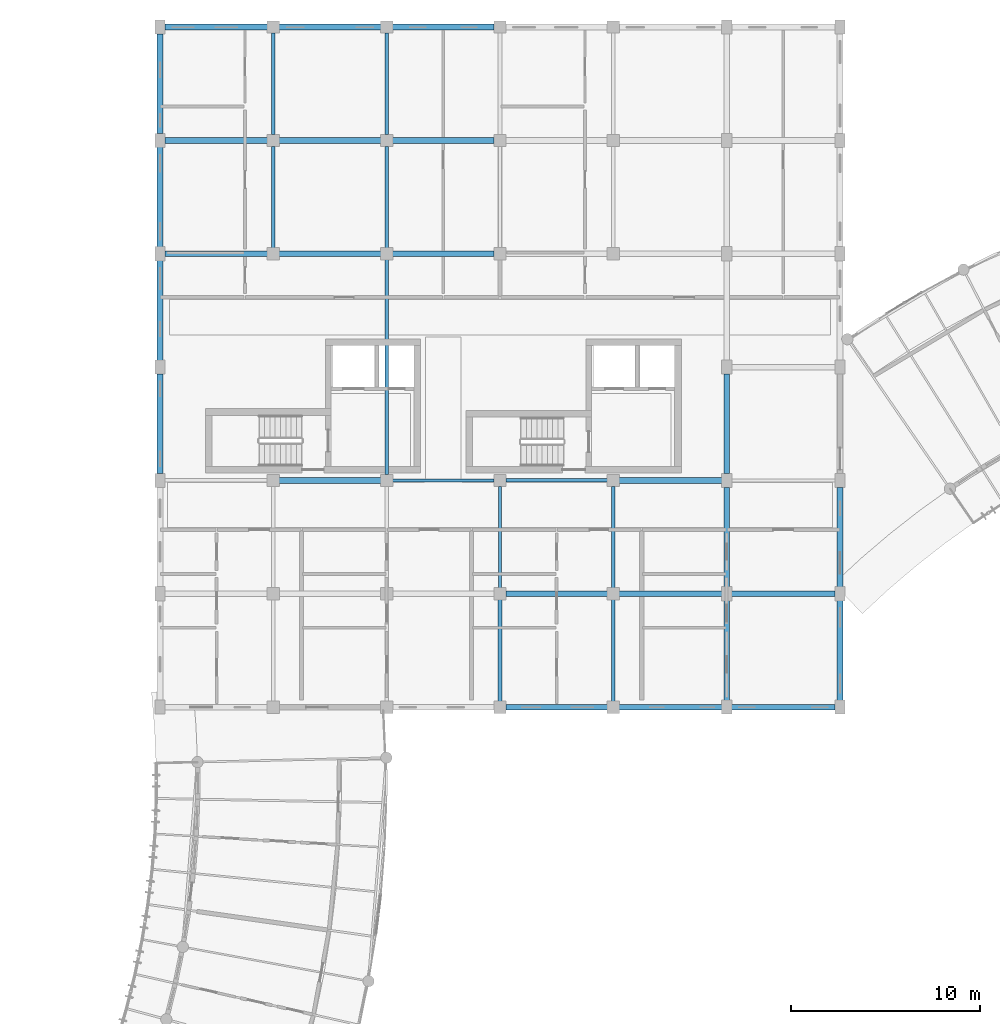
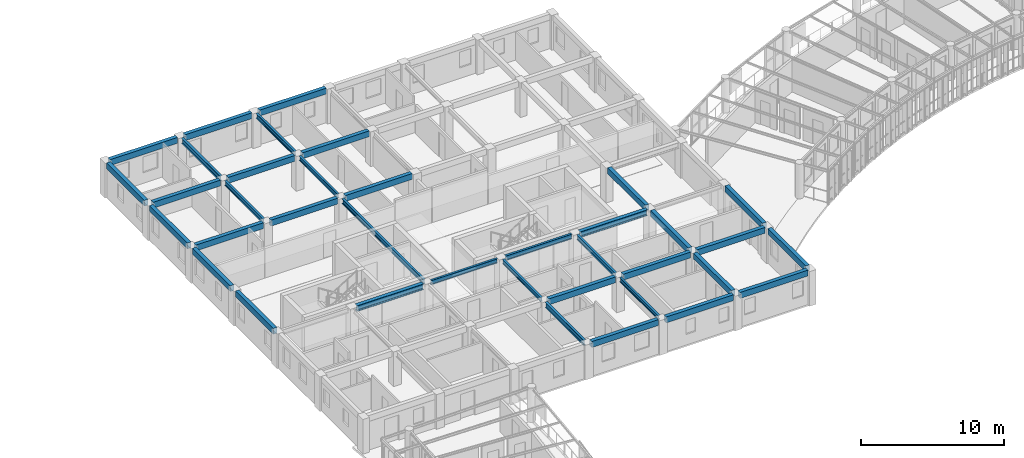
# One storey, part 25 of 100: 37 beams.
"""IFC4 building model written with IfcOpenShell, lengths in metres."""

from ifc_helpers import new_model, si_unit, direction, frame, origin, origin_2d, place, context, subcontext, project, spatial, rectangle, i_section, extrude, material, material_profile, profile_set, type_object, element, save


model = new_model("IFC4")

# Units and contexts
model_context = context("Model", 3, precision=1e-05, world=origin(), true_north=direction((0.0, 1.0)))
body_context = subcontext(model_context, "Body", "Model", "MODEL_VIEW")
ifc_project = project(units=[si_unit("LENGTHUNIT", "METRE"), si_unit("AREAUNIT", "SQUARE_METRE"), si_unit("VOLUMEUNIT", "CUBIC_METRE"), si_unit("PLANEANGLEUNIT", "RADIAN"), si_unit("MASSUNIT", "GRAM", prefix="KILO"), si_unit("POWERUNIT", "WATT"), si_unit("THERMODYNAMICTEMPERATUREUNIT", "KELVIN")], contexts=[model_context])

# Site, building, storey
site_placement = place(None, origin())
site = spatial("IfcSite", under=ifc_project, at=site_placement, CompositionType="ELEMENT")
building_placement = place(site_placement, origin())
building = spatial("IfcBuilding", under=site, at=building_placement, Name="Ruvembo Vaulted Housing Court", CompositionType="ELEMENT")
storey_placement = place(building_placement, frame((0.0, 0.0, 14.10009765625)))
storey = spatial("IfcBuildingStorey", under=building, at=storey_placement, Name="L04", CompositionType="ELEMENT", Elevation=14.10009765625)

# Beams
ifc_material_1 = material(Name="Steel S355J2", Category="steel")
ifc_material_profile_1 = material_profile(ifc_material_1, i_section(OverallWidth=0.300048828125, OverallDepth=0.5, WebThickness=0.014404296875, FlangeThickness=0.028076171875, FilletRadius=0.027099609375, at=origin_2d()), Name="HEB 320")
ifc_profile_set_1 = profile_set([ifc_material_profile_1], Name="Steel S355J2")
beam_type_1 = type_object("IfcBeamType", Name="BM-ST-HEB320", PredefinedType="BEAM", material=ifc_profile_set_1)
beam_1_placement = place(storey_placement, frame((54.31005859375, 90.0, 2.67578125), z_axis=(1.0, 0.0, 0.0), x_axis=(0.0, 1.0, 0.0)))
element("IfcBeam", 1, at=beam_1_placement, inside=storey, type_object=beam_type_1, Name="L04 Grid Beam X #2102", PredefinedType="BEAM", context=body_context, shape_type="SweptSolid", body=[
    extrude(i_section(OverallWidth=0.300048828125, OverallDepth=0.5, WebThickness=0.014404296875, FlangeThickness=0.028076171875, FilletRadius=0.027099609375, at=origin_2d()), origin(), (0.0, 0.0, 1.0), 5.3798828125),
])
beam_2_placement = place(storey_placement, frame((72.31005859375, 90.0, 2.67578125), z_axis=(1.0, 0.0, 0.0), x_axis=(0.0, 1.0, 0.0)))
element("IfcBeam", 2, at=beam_2_placement, inside=storey, type_object=beam_type_1, Name="L04 Grid Beam X #2105", PredefinedType="BEAM", context=body_context, shape_type="SweptSolid", body=[
    extrude(i_section(OverallWidth=0.300048828125, OverallDepth=0.5, WebThickness=0.014404296875, FlangeThickness=0.028076171875, FilletRadius=0.027099609375, at=origin_2d()), origin(), (0.0, 0.0, 1.0), 5.429931640625),
])
ifc_material_profile_2 = material_profile(ifc_material_1, i_section(OverallWidth=0.169921875, OverallDepth=0.360107421875, WebThickness=0.008056640625, FlangeThickness=0.0126953125, FilletRadius=0.01806640625, at=origin_2d()), Name="IPE 360")
ifc_profile_set_2 = profile_set([ifc_material_profile_2], Name="Steel S355J2")
beam_type_2 = type_object("IfcBeamType", Name="BM-ST-IPE360", PredefinedType="BEAM", material=ifc_profile_set_2)
for number, where, z_axis, x_axis, name in (
    (3, (60.31005859375, 90.0, 2.745849609375), (1.0, 0.0, 0.0), (0.0, 1.0, 0.0), "L04 Grid Beam X #2103"),
    (4, (60.0, 102.31005859375, 2.745849609375), (0.0, 1.0, 0.0), (-1.0, 0.0, 0.0), "L04 Grid Beam Y #2193"),
    (5, (66.0, 84.31005859375, 2.745849609375), (0.0, 1.0, 0.0), (-1.0, 0.0, 0.0), "L04 Grid Beam Y #2196"),
    (6, (72.0, 78.31005859375, 2.745849609375), (0.0, 1.0, 0.0), (-1.0, 0.0, 0.0), "L04 Grid Beam Y #2199"),
):
    element("IfcBeam", number, at=place(storey_placement, frame(where, z_axis=z_axis, x_axis=x_axis)), inside=storey, type_object=beam_type_2, Name=name, PredefinedType="BEAM", context=body_context, shape_type="SweptSolid", body=[
        extrude(i_section(OverallWidth=0.169921875, OverallDepth=0.360107421875, WebThickness=0.008056640625, FlangeThickness=0.0126953125, FilletRadius=0.01806640625, at=origin_2d()), origin(), (0.0, 0.0, 1.0), 5.3798828125),
    ])
ifc_material_profile_3 = material_profile(ifc_material_1, i_section(OverallWidth=0.179931640625, OverallDepth=0.39990234375, WebThickness=0.008544921875, FlangeThickness=0.013427734375, FilletRadius=0.02099609375, at=origin_2d()), Name="IPE 400")
ifc_profile_set_3 = profile_set([ifc_material_profile_3], Name="Steel S355J2")
beam_type_3 = type_object("IfcBeamType", Name="BM-ST-IPE400", PredefinedType="BEAM", material=ifc_profile_set_3)
for number, where, z_axis, x_axis, name in (
    (7, (66.31005859375, 90.0, 2.725830078125), (1.0, 0.0, 0.0), (0.0, 1.0, 0.0), "L04 Grid Beam X #2104"),
    (8, (54.0, 102.31005859375, 2.725830078125), (0.0, 1.0, 0.0), (-1.0, 0.0, 0.0), "L04 Grid Beam Y #2188"),
):
    element("IfcBeam", number, at=place(storey_placement, frame(where, z_axis=z_axis, x_axis=x_axis)), inside=storey, type_object=beam_type_3, Name=name, PredefinedType="BEAM", context=body_context, shape_type="SweptSolid", body=[
        extrude(i_section(OverallWidth=0.179931640625, OverallDepth=0.39990234375, WebThickness=0.008544921875, FlangeThickness=0.013427734375, FilletRadius=0.02099609375, at=origin_2d()), origin(), (0.0, 0.0, 1.0), 5.3798828125),
    ])
beam_3_placement = place(storey_placement, frame((60.0, 90.31005859375, 2.725830078125), z_axis=(0.0, 1.0, 0.0), x_axis=(-1.0, 0.0, 0.0)))
element("IfcBeam", 9, at=beam_3_placement, inside=storey, type_object=beam_type_3, Name="L04 Grid Beam Y #2192", PredefinedType="BEAM", context=body_context, shape_type="SweptSolid", body=[
    extrude(i_section(OverallWidth=0.179931640625, OverallDepth=0.39990234375, WebThickness=0.008544921875, FlangeThickness=0.013427734375, FilletRadius=0.02099609375, at=origin_2d()), origin(), (0.0, 0.0, 1.0), 11.3798828125),
])
for number, where, z_axis, x_axis, name in (
    (10, (60.0, 108.31005859375, 2.725830078125), (0.0, 1.0, 0.0), (-1.0, 0.0, 0.0), "L04 Grid Beam Y #2194"),
    (11, (72.0, 84.31005859375, 2.725830078125), (0.0, 1.0, 0.0), (-1.0, 0.0, 0.0), "L04 Grid Beam Y #2200"),
):
    element("IfcBeam", number, at=place(storey_placement, frame(where, z_axis=z_axis, x_axis=x_axis)), inside=storey, type_object=beam_type_3, Name=name, PredefinedType="BEAM", context=body_context, shape_type="SweptSolid", body=[
        extrude(i_section(OverallWidth=0.179931640625, OverallDepth=0.39990234375, WebThickness=0.008544921875, FlangeThickness=0.013427734375, FilletRadius=0.02099609375, at=origin_2d()), origin(), (0.0, 0.0, 1.0), 5.3798828125),
    ])
ifc_material_profile_4 = material_profile(ifc_material_1, i_section(OverallWidth=0.18994140625, OverallDepth=0.449951171875, WebThickness=0.009521484375, FlangeThickness=0.0146484375, FilletRadius=0.02099609375, at=origin_2d()), Name="IPE 450")
ifc_profile_set_4 = profile_set([ifc_material_profile_4], Name="Steel S355J2")
beam_type_4 = type_object("IfcBeamType", Name="BM-ST-IPE450", PredefinedType="BEAM", material=ifc_profile_set_4)
for number, where, z_axis, x_axis, name in (
    (12, (54.0, 108.31005859375, 2.700927734375), (0.0, 1.0, 0.0), (-1.0, 0.0, 0.0), "L04 Grid Beam Y #2189"),
    (13, (66.0, 78.31005859375, 2.700927734375), (0.0, 1.0, 0.0), (-1.0, 0.0, 0.0), "L04 Grid Beam Y #2195"),
):
    element("IfcBeam", number, at=place(storey_placement, frame(where, z_axis=z_axis, x_axis=x_axis)), inside=storey, type_object=beam_type_4, Name=name, PredefinedType="BEAM", context=body_context, shape_type="SweptSolid", body=[
        extrude(i_section(OverallWidth=0.18994140625, OverallDepth=0.449951171875, WebThickness=0.009521484375, FlangeThickness=0.0146484375, FilletRadius=0.02099609375, at=origin_2d()), origin(), (0.0, 0.0, 1.0), 5.3798828125),
    ])
ifc_material_2 = material(Name="Concrete C35/45", Category="concrete")
ifc_material_profile_5 = material_profile(ifc_material_2, rectangle(XDim=0.300048828125, YDim=0.5, at=origin_2d()), Name="RC 300x500")
ifc_profile_set_5 = profile_set([ifc_material_profile_5], Name="Concrete C35/45")
beam_type_5 = type_object("IfcBeamType", Name="SP-RC-300x500", PredefinedType="SPANDREL", material=ifc_profile_set_5)
beam_4_placement = place(storey_placement, frame((66.31005859375, 78.0, 2.699951171875), z_axis=(1.0, 0.0, 0.0), x_axis=(0.0, 1.0, 0.0)))
element("IfcBeam", 14, at=beam_4_placement, inside=storey, type_object=beam_type_5, Name="L04 Grid Beam X #2080", PredefinedType="SPANDREL", context=body_context, shape_type="SweptSolid", body=[
    extrude(rectangle(XDim=0.300048828125, YDim=0.5, at=origin_2d()), origin(), (0.0, 0.0, 1.0), 5.3798828125),
])
beam_5_placement = place(storey_placement, frame((72.31005859375, 78.0, 2.699951171875), z_axis=(1.0, 0.0, 0.0), x_axis=(0.0, 1.0, 0.0)))
element("IfcBeam", 15, at=beam_5_placement, inside=storey, type_object=beam_type_5, Name="L04 Grid Beam X #2081", PredefinedType="SPANDREL", context=body_context, shape_type="SweptSolid", body=[
    extrude(rectangle(XDim=0.300048828125, YDim=0.5, at=origin_2d()), origin(), (0.0, 0.0, 1.0), 5.429931640625),
])
beam_6_placement = place(storey_placement, frame((78.260009765625, 78.0, 2.699951171875), z_axis=(1.0, 0.0, 0.0), x_axis=(0.0, 1.0, 0.0)))
element("IfcBeam", 16, at=beam_6_placement, inside=storey, type_object=beam_type_5, Name="L04 Grid Beam X #2082", PredefinedType="SPANDREL", context=body_context, shape_type="SweptSolid", body=[
    extrude(rectangle(XDim=0.300048828125, YDim=0.5, at=origin_2d()), origin(), (0.0, 0.0, 1.0), 5.47998046875),
])
beam_7_placement = place(storey_placement, frame((66.31005859375, 84.0, 2.699951171875), z_axis=(1.0, 0.0, 0.0), x_axis=(0.0, 1.0, 0.0)))
element("IfcBeam", 17, at=beam_7_placement, inside=storey, type_object=beam_type_5, Name="L04 Grid Beam X #2092", PredefinedType="SPANDREL", context=body_context, shape_type="SweptSolid", body=[
    extrude(rectangle(XDim=0.300048828125, YDim=0.5, at=origin_2d()), origin(), (0.0, 0.0, 1.0), 5.3798828125),
])
beam_8_placement = place(storey_placement, frame((72.31005859375, 84.0, 2.699951171875), z_axis=(1.0, 0.0, 0.0), x_axis=(0.0, 1.0, 0.0)))
element("IfcBeam", 18, at=beam_8_placement, inside=storey, type_object=beam_type_5, Name="L04 Grid Beam X #2093", PredefinedType="SPANDREL", context=body_context, shape_type="SweptSolid", body=[
    extrude(rectangle(XDim=0.300048828125, YDim=0.5, at=origin_2d()), origin(), (0.0, 0.0, 1.0), 5.429931640625),
])
beam_9_placement = place(storey_placement, frame((78.260009765625, 84.0, 2.699951171875), z_axis=(1.0, 0.0, 0.0), x_axis=(0.0, 1.0, 0.0)))
element("IfcBeam", 19, at=beam_9_placement, inside=storey, type_object=beam_type_5, Name="L04 Grid Beam X #2094", PredefinedType="SPANDREL", context=body_context, shape_type="SweptSolid", body=[
    extrude(rectangle(XDim=0.300048828125, YDim=0.5, at=origin_2d()), origin(), (0.0, 0.0, 1.0), 5.47998046875),
])
beam_10_placement = place(storey_placement, frame((48.260009765625, 102.0, 2.699951171875), z_axis=(1.0, 0.0, 0.0), x_axis=(0.0, 1.0, 0.0)))
element("IfcBeam", 20, at=beam_10_placement, inside=storey, type_object=beam_type_5, Name="L04 Grid Beam X #2115", PredefinedType="SPANDREL", context=body_context, shape_type="SweptSolid", body=[
    extrude(rectangle(XDim=0.300048828125, YDim=0.5, at=origin_2d()), origin(), (0.0, 0.0, 1.0), 5.429931640625),
])
for number, where, z_axis, x_axis, name in (
    (21, (54.31005859375, 102.0, 2.699951171875), (1.0, 0.0, 0.0), (0.0, 1.0, 0.0), "L04 Grid Beam X #2116"),
    (22, (60.31005859375, 102.0, 2.699951171875), (1.0, 0.0, 0.0), (0.0, 1.0, 0.0), "L04 Grid Beam X #2117"),
):
    element("IfcBeam", number, at=place(storey_placement, frame(where, z_axis=z_axis, x_axis=x_axis)), inside=storey, type_object=beam_type_5, Name=name, PredefinedType="SPANDREL", context=body_context, shape_type="SweptSolid", body=[
        extrude(rectangle(XDim=0.300048828125, YDim=0.5, at=origin_2d()), origin(), (0.0, 0.0, 1.0), 5.3798828125),
    ])
beam_11_placement = place(storey_placement, frame((48.260009765625, 108.0, 2.699951171875), z_axis=(1.0, 0.0, 0.0), x_axis=(0.0, 1.0, 0.0)))
element("IfcBeam", 23, at=beam_11_placement, inside=storey, type_object=beam_type_5, Name="L04 Grid Beam X #2127", PredefinedType="SPANDREL", context=body_context, shape_type="SweptSolid", body=[
    extrude(rectangle(XDim=0.300048828125, YDim=0.5, at=origin_2d()), origin(), (0.0, 0.0, 1.0), 5.429931640625),
])
for number, where, z_axis, x_axis, name in (
    (24, (54.31005859375, 108.0, 2.699951171875), (1.0, 0.0, 0.0), (0.0, 1.0, 0.0), "L04 Grid Beam X #2128"),
    (25, (60.31005859375, 108.0, 2.699951171875), (1.0, 0.0, 0.0), (0.0, 1.0, 0.0), "L04 Grid Beam X #2129"),
):
    element("IfcBeam", number, at=place(storey_placement, frame(where, z_axis=z_axis, x_axis=x_axis)), inside=storey, type_object=beam_type_5, Name=name, PredefinedType="SPANDREL", context=body_context, shape_type="SweptSolid", body=[
        extrude(rectangle(XDim=0.300048828125, YDim=0.5, at=origin_2d()), origin(), (0.0, 0.0, 1.0), 5.3798828125),
    ])
beam_12_placement = place(storey_placement, frame((48.260009765625, 114.0, 2.699951171875), z_axis=(1.0, 0.0, 0.0), x_axis=(0.0, 1.0, 0.0)))
element("IfcBeam", 26, at=beam_12_placement, inside=storey, type_object=beam_type_5, Name="L04 Grid Beam X #2139", PredefinedType="SPANDREL", context=body_context, shape_type="SweptSolid", body=[
    extrude(rectangle(XDim=0.300048828125, YDim=0.5, at=origin_2d()), origin(), (0.0, 0.0, 1.0), 5.429931640625),
])
for number, where, z_axis, x_axis, name in (
    (27, (54.31005859375, 114.0, 2.699951171875), (1.0, 0.0, 0.0), (0.0, 1.0, 0.0), "L04 Grid Beam X #2140"),
    (28, (60.31005859375, 114.0, 2.699951171875), (1.0, 0.0, 0.0), (0.0, 1.0, 0.0), "L04 Grid Beam X #2141"),
):
    element("IfcBeam", number, at=place(storey_placement, frame(where, z_axis=z_axis, x_axis=x_axis)), inside=storey, type_object=beam_type_5, Name=name, PredefinedType="SPANDREL", context=body_context, shape_type="SweptSolid", body=[
        extrude(rectangle(XDim=0.300048828125, YDim=0.5, at=origin_2d()), origin(), (0.0, 0.0, 1.0), 5.3798828125),
    ])
for number, where, z_axis, x_axis, name in (
    (29, (48.0, 90.360107421875, 2.699951171875), (0.0, 1.0, 0.0), (-1.0, 0.0, 0.0), "L04 Grid Beam Y #2182"),
    (30, (48.0, 96.360107421875, 2.699951171875), (0.0, 1.0, 0.0), (-1.0, 0.0, 0.0), "L04 Grid Beam Y #2183"),
    (31, (48.0, 102.360107421875, 2.699951171875), (0.0, 1.0, 0.0), (-1.0, 0.0, 0.0), "L04 Grid Beam Y #2184"),
    (32, (48.0, 108.360107421875, 2.699951171875), (0.0, 1.0, 0.0), (-1.0, 0.0, 0.0), "L04 Grid Beam Y #2185"),
    (33, (78.0, 78.360107421875, 2.699951171875), (0.0, 1.0, 0.0), (-1.0, 0.0, 0.0), "L04 Grid Beam Y #2203"),
    (34, (78.0, 84.360107421875, 2.699951171875), (0.0, 1.0, 0.0), (-1.0, 0.0, 0.0), "L04 Grid Beam Y #2204"),
    (35, (78.0, 90.360107421875, 2.699951171875), (0.0, 1.0, 0.0), (-1.0, 0.0, 0.0), "L04 Grid Beam Y #2205"),
    (36, (84.0, 78.360107421875, 2.699951171875), (0.0, 1.0, 0.0), (-1.0, 0.0, 0.0), "L04 Grid Beam Y #2209"),
    (37, (84.0, 84.360107421875, 2.699951171875), (0.0, 1.0, 0.0), (-1.0, 0.0, 0.0), "L04 Grid Beam Y #2210"),
):
    element("IfcBeam", number, at=place(storey_placement, frame(where, z_axis=z_axis, x_axis=x_axis)), inside=storey, type_object=beam_type_5, Name=name, PredefinedType="SPANDREL", context=body_context, shape_type="SweptSolid", body=[
        extrude(rectangle(XDim=0.300048828125, YDim=0.5, at=origin_2d()), origin(), (0.0, 0.0, 1.0), 5.27978515625),
    ])

save(model, "model.ifc")
